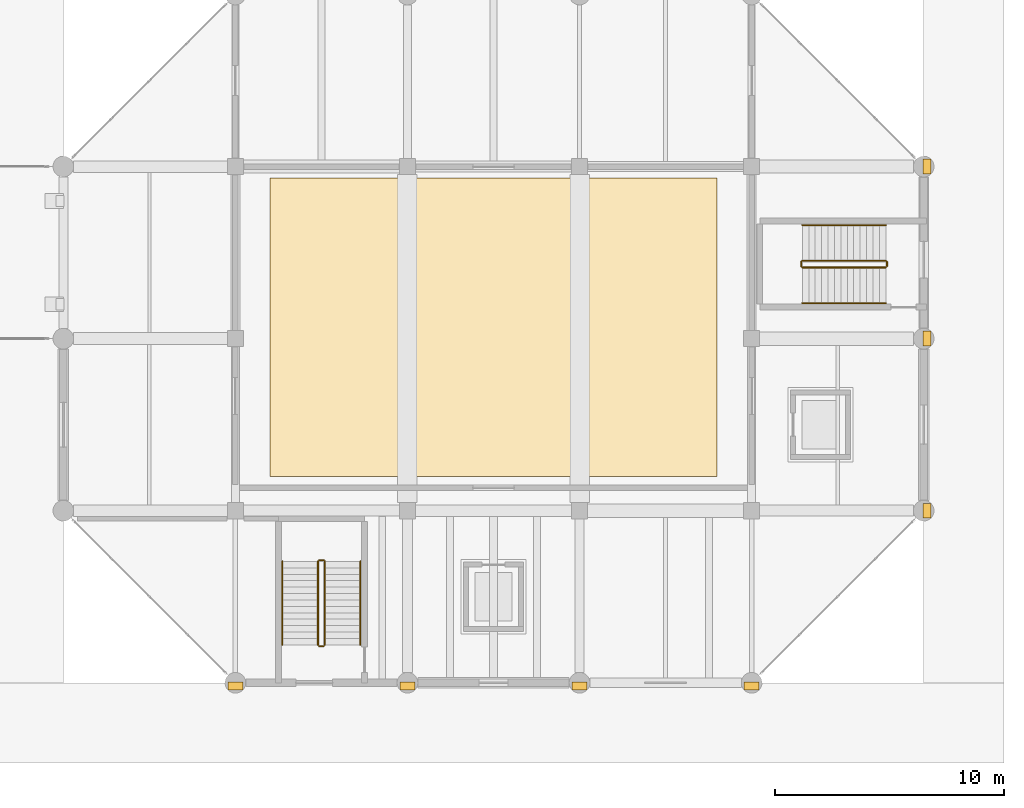
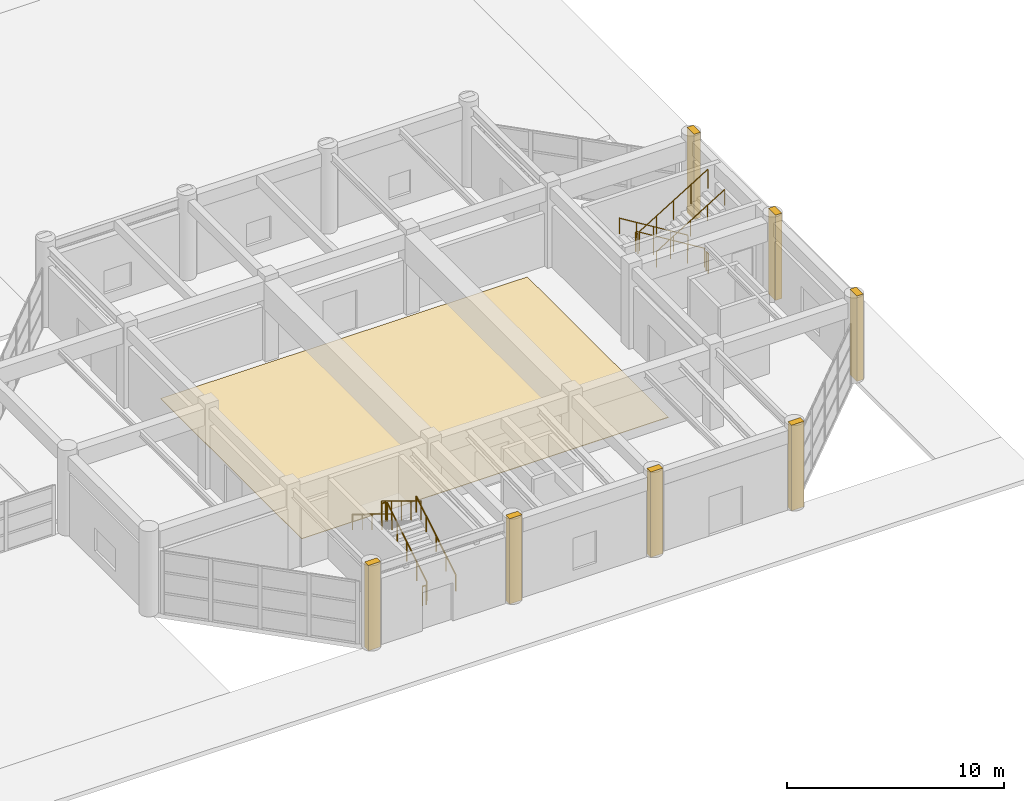
# One storey, part 119 of 122: 12 railings, 8 coverings.
"""IFC4 building model written with IfcOpenShell, lengths in metres."""

import ifcopenshell
import ifcopenshell.guid

model = None  # the IFC model being written
_history = None  # IfcOwnerHistory: only IFC2X3 demands one
_inside = {}  # id of a spatial element -> (the spatial element, [elements in it])
_under = {}  # id of a project, library or spatial element -> (it, [spatial elements below it])
_declared = {}  # id of a project -> (the project, [libraries it declares])
_typed = {}  # id of a type object -> (the type object, [elements of that type])
_made_of = {}  # id of a material, layer set ... -> (it, [elements and type objects made of it])


def new_model(schema):
    """Start an empty IFC model of exactly this schema.

    Asked for "IFC4X3", IfcOpenShell would pick the latest addendum, in which some entities
    have other attributes; the version numbers below select the first issue.
    IFC2X3 requires an IfcOwnerHistory on every rooted entity: one is made here for all.
    """
    global model, _history
    if schema == "IFC4X3":
        model = ifcopenshell.file(schema_version=(4, 3, 0, 0))
    else:
        model = ifcopenshell.file(schema=schema)
    _inside.clear()
    _under.clear()
    _declared.clear()
    _typed.clear()
    _made_of.clear()
    _history = None
    if model.schema == "IFC2X3":
        org = make("IfcOrganization", Name="unknown")
        user = make(
            "IfcPersonAndOrganization",
            ThePerson=make("IfcPerson", FamilyName="unknown"),
            TheOrganization=org,
        )
        app = make(
            "IfcApplication",
            ApplicationDeveloper=org,
            Version="unknown",
            ApplicationFullName="unknown",
            ApplicationIdentifier="unknown",
        )
        _history = make(
            "IfcOwnerHistory",
            OwningUser=user,
            OwningApplication=app,
            ChangeAction="ADDED",
            CreationDate=0,
        )
    return model


def make(cls, **values):
    """One entity of the class cls with the attributes given. An attribute that is None is left unset."""
    return model.create_entity(
        cls, **{name: value for name, value in values.items() if value is not None}
    )


def rooted(cls, **values):
    """An entity with a GlobalId (a new one), such as an element, a storey or a relation."""
    return make(cls, GlobalId=ifcopenshell.guid.new(), OwnerHistory=_history, **values)


def si_unit(unit_type, name, prefix=None):
    """IfcSIUnit, for example si_unit("LENGTHUNIT", "METRE", prefix="MILLI")."""
    return make("IfcSIUnit", UnitType=unit_type, Prefix=prefix, Name=name)


def assignment(units):
    """IfcUnitAssignment: the units of a project."""
    return None if units is None else make("IfcUnitAssignment", Units=units)


def point(xyz):
    """IfcCartesianPoint."""
    return None if xyz is None else make("IfcCartesianPoint", Coordinates=xyz)


def direction(xyz):
    """IfcDirection."""
    return None if xyz is None else make("IfcDirection", DirectionRatios=xyz)


def frame(location, z_axis=None, x_axis=None):
    """IfcAxis2Placement3D, a coordinate frame: its origin and axes. An axis left out is left unset."""
    return make(
        "IfcAxis2Placement3D",
        Location=point(location),
        Axis=direction(z_axis),
        RefDirection=direction(x_axis),
    )


def frame_2d(location, x_axis=None):
    """IfcAxis2Placement2D, a coordinate frame in the plane: its origin and x axis."""
    return make(
        "IfcAxis2Placement2D", Location=point(location), RefDirection=direction(x_axis)
    )


def origin():
    """The frame at (0, 0, 0) with its axes left unset."""
    return frame((0.0, 0.0, 0.0))


def origin_2d():
    """The frame at (0, 0) in the plane with its x axis left unset."""
    return frame_2d((0.0, 0.0))


def place(relative_to, where):
    """IfcLocalPlacement: puts the frame where relative to a parent placement (None: the world)."""
    return make(
        "IfcLocalPlacement", PlacementRelTo=relative_to, RelativePlacement=where
    )


def context(
    kind, dimensions, precision=None, world=None, true_north=None, identifier=None
):
    """IfcGeometricRepresentationContext, for example the 3D "Model" context."""
    return make(
        "IfcGeometricRepresentationContext",
        ContextIdentifier=identifier,
        ContextType=kind,
        CoordinateSpaceDimension=dimensions,
        Precision=precision,
        WorldCoordinateSystem=world,
        TrueNorth=true_north,
    )


def subcontext(parent, identifier, kind, view, scale=None):
    """IfcGeometricRepresentationSubContext, for example "Body" below "Model"."""
    return make(
        "IfcGeometricRepresentationSubContext",
        ContextIdentifier=identifier,
        ContextType=kind,
        ParentContext=parent,
        TargetScale=scale,
        TargetView=view,
    )


def project(units=None, contexts=None):
    """IfcProject with its units and contexts."""
    return rooted(
        "IfcProject",
        Name="project",
        RepresentationContexts=contexts,
        UnitsInContext=assignment(units),
    )


def spatial(cls, under=None, at=None, **own):
    """A site, building, storey or space (cls), placed at a placement, below another one or the project."""
    s = rooted(cls, ObjectPlacement=at, **own)
    if under is not None:
        _under.setdefault(under.id(), (under, []))[1].append(s)
    return s


def polyline(points):
    """IfcPolyline through the points."""
    return make("IfcPolyline", Points=[point(p) for p in points])


def profile(cls, at=None, kind="AREA", **sizes):
    """A parametric profile (cls). Its sizes go by their IFC names, for example OverallWidth=200.0."""
    return make(cls, ProfileType=kind, Position=at, **sizes)


def rectangle(**sizes):
    """IfcRectangleProfileDef."""
    return profile("IfcRectangleProfileDef", **sizes)


def circle(**sizes):
    """IfcCircleProfileDef."""
    return profile("IfcCircleProfileDef", **sizes)


def outline(outer, holes=None, kind="AREA"):
    """IfcArbitraryClosedProfileDef: a profile drawn as a closed curve; with holes, ...WithVoids."""
    if holes is None:
        return make("IfcArbitraryClosedProfileDef", ProfileType=kind, OuterCurve=outer)
    return make(
        "IfcArbitraryProfileDefWithVoids",
        ProfileType=kind,
        OuterCurve=outer,
        InnerCurves=holes,
    )


def extrude(swept, where, along, depth):
    """IfcExtrudedAreaSolid: the profile swept, set in the frame where, extruded along a direction by depth."""
    return make(
        "IfcExtrudedAreaSolid",
        SweptArea=swept,
        Position=where,
        ExtrudedDirection=direction(along),
        Depth=depth,
    )


def shape(context_of_items, identifier, shape_type, items):
    """IfcShapeRepresentation: the items that make up one representation, for example the "Body"."""
    return make(
        "IfcShapeRepresentation",
        ContextOfItems=context_of_items,
        RepresentationIdentifier=identifier,
        RepresentationType=shape_type,
        Items=items,
    )


def material(Name=None, Category=None):
    """IfcMaterial."""
    return make("IfcMaterial", Name=Name, Category=Category)


def layer(
    of_material, thickness, ventilated=None, Name=None, Category=None, Priority=None
):
    """IfcMaterialLayer: one layer of a wall or slab, of a material (None: an air gap)."""
    return make(
        "IfcMaterialLayer",
        Material=of_material,
        LayerThickness=thickness,
        IsVentilated=ventilated,
        Name=Name,
        Category=Category,
        Priority=Priority,
    )


def layer_set(layers, Name=None):
    """IfcMaterialLayerSet."""
    return make("IfcMaterialLayerSet", MaterialLayers=layers, LayerSetName=Name)


def made_of(thing, what):
    """Note that an element or type object is made of a material, layer set ...; save() writes the relation."""
    if what is not None:
        _made_of.setdefault(what.id(), (what, []))[1].append(thing)
    return thing


def type_object(cls, material=None, **own):
    """A type object (cls), such as IfcWallType, which elements share."""
    return made_of(rooted(cls, **own), material)


def element(
    cls,
    number,
    at=None,
    inside=None,
    cuts=None,
    type_object=None,
    material=None,
    context=None,
    identifier="Body",
    shape_type=None,
    held_by="IfcProductDefinitionShape",
    body=None,
    shapes=None,
    **own,
):
    """One element of the class cls, such as IfcWall. Its Tag is "e" and its number.

    at: its placement. inside: the storey or other place that contains it. cuts: it is an
    opening in that element (IfcRelVoidsElement). A single representation is given by context,
    identifier, shape_type and body (its items); several are given by shapes. held_by: the class
    of the entity that holds the representations. save() writes the other relations.
    """
    e = rooted(cls, Tag="e%d" % number, ObjectPlacement=at, **own)
    if body is not None:
        shapes = [shape(context, identifier, shape_type, body)]
    if shapes is not None:
        e.Representation = make(held_by, Representations=shapes)
    if inside is not None:
        _inside.setdefault(inside.id(), (inside, []))[1].append(e)
    if cuts is not None:
        rooted(
            "IfcRelVoidsElement", RelatingBuildingElement=cuts, RelatedOpeningElement=e
        )
    if type_object is not None:
        _typed.setdefault(type_object.id(), (type_object, []))[1].append(e)
    return made_of(e, material)


def aggregate(whole, parts):
    """IfcRelAggregates: a whole, such as a stair, and the parts it consists of."""
    return rooted("IfcRelAggregates", RelatingObject=whole, RelatedObjects=parts)


def save(model, path):
    """Write the relations noted so far, then the file.

    IfcRelAggregates (storeys below a building ...), IfcRelContainedInSpatialStructure (elements
    in a storey), IfcRelDefinesByType, IfcRelAssociatesMaterial and IfcRelDeclares: one each for
    every whole, place, type object, material and project.
    """
    for whole, parts in _under.values():
        aggregate(whole, parts)
    for where, things in _inside.values():
        rooted(
            "IfcRelContainedInSpatialStructure",
            RelatedElements=things,
            RelatingStructure=where,
        )
    for kind, things in _typed.values():
        rooted("IfcRelDefinesByType", RelatedObjects=things, RelatingType=kind)
    for what, things in _made_of.values():
        rooted("IfcRelAssociatesMaterial", RelatedObjects=things, RelatingMaterial=what)
    for by, libraries in _declared.values():
        rooted("IfcRelDeclares", RelatingContext=by, RelatedDefinitions=libraries)
    model.write(path)


model = new_model("IFC4")

# Units and contexts
model_context = context("Model", 3, precision=1e-05, world=origin(), true_north=direction((0.0, 1.0)))
body_context = subcontext(model_context, "Body", "Model", "MODEL_VIEW")
ifc_project = project(units=[si_unit("LENGTHUNIT", "METRE"), si_unit("AREAUNIT", "SQUARE_METRE"), si_unit("VOLUMEUNIT", "CUBIC_METRE"), si_unit("PLANEANGLEUNIT", "RADIAN"), si_unit("MASSUNIT", "GRAM", prefix="KILO")], contexts=[model_context])

# Site, building, storey
site_placement = place(None, origin())
site = spatial("IfcSite", under=ifc_project, at=site_placement, CompositionType="ELEMENT")
building_placement = place(site_placement, origin())
building = spatial("IfcBuilding", under=site, at=building_placement, Name="Qasida Concert Hall", CompositionType="ELEMENT")
storey_placement = place(building_placement, origin())
storey = spatial("IfcBuildingStorey", under=building, at=storey_placement, Name="L00", CompositionType="ELEMENT", Elevation=0.0)

# Coverings
ifc_material_1 = material(Name="Quarter-sawn European oak stage and parterre flooring", Category="wood")
ifc_layer_1 = layer(ifc_material_1, 0.030029296875, Name="Quarter-sawn European oak stage and parterre flooring")
ifc_layer_set_1 = layer_set([ifc_layer_1], Name="Quarter-sawn European oak stage and parterre flooring")
covering_type_1 = type_object("IfcCoveringType", Name="CV-FL-1", PredefinedType="FLOORING", material=ifc_layer_set_1)
covering_placement = place(storey_placement, origin())
element("IfcCovering", 1, at=covering_placement, inside=storey, type_object=covering_type_1, Name="L00 acoustic timber flooring 01", PredefinedType="FLOORING", context=body_context, shape_type="SweptSolid", body=[
    extrude(outline(polyline([(136.5, 9.0), (156.0, 9.0), (156.0, 22.0), (136.5, 22.0), (136.5, 9.0)])), origin(), (0.0, 0.0, 1.0), 0.030029296875),
])
ifc_material_2 = material(Name="Projecting fluted Lebanese limestone Art Deco pilaster", Category="masonry")
ifc_layer_2 = layer(ifc_material_2, 0.35009765625, Name="Projecting fluted Lebanese limestone Art Deco pilaster")
ifc_layer_set_2 = layer_set([ifc_layer_2], Name="Projecting fluted Lebanese limestone Art Deco pilaster")
covering_type_2 = type_object("IfcCoveringType", Name="CV-PIL-650", PredefinedType="CLADDING", material=ifc_layer_set_2)
for number, where, z_axis, x_axis, name in (
    (2, (135.0, -0.135009765625, 0.0), (0.0, 0.0, 1.0), (1.0, 0.0, 0.0), "L00 fluted limestone pilaster 0191"),
    (3, (142.5, -0.135009765625, 0.0), (0.0, 0.0, 1.0), (1.0, 0.0, 0.0), "L00 fluted limestone pilaster 0199"),
    (4, (150.0, -0.135009765625, 0.0), (0.0, 0.0, 1.0), (1.0, 0.0, 0.0), "L00 fluted limestone pilaster 0207"),
    (5, (157.5, -0.135009765625, 0.0), (0.0, 0.0, 1.0), (1.0, 0.0, 0.0), "L00 fluted limestone pilaster 0215"),
):
    element("IfcCovering", number, at=place(storey_placement, frame(where, z_axis=z_axis, x_axis=x_axis)), inside=storey, type_object=covering_type_2, Name=name, PredefinedType="CLADDING", context=body_context, shape_type="SweptSolid", body=[
        extrude(rectangle(XDim=0.64990234375, YDim=0.35009765625, at=origin_2d()), origin(), (0.0, 0.0, 1.0), 4.800048828125),
    ])
for number, where, z_axis, x_axis, name in (
    (6, (165.135009765625, 7.5, 0.0), (0.0, 0.0, 1.0), (1.0, 0.0, 0.0), "L00 fluted limestone pilaster 0223"),
    (7, (165.135009765625, 15.0, 0.0), (0.0, 0.0, 1.0), (1.0, 0.0, 0.0), "L00 fluted limestone pilaster 0227"),
    (8, (165.135009765625, 22.5, 0.0), (0.0, 0.0, 1.0), (1.0, 0.0, 0.0), "L00 fluted limestone pilaster 0231"),
):
    element("IfcCovering", number, at=place(storey_placement, frame(where, z_axis=z_axis, x_axis=x_axis)), inside=storey, type_object=covering_type_2, Name=name, PredefinedType="CLADDING", context=body_context, shape_type="SweptSolid", body=[
        extrude(rectangle(XDim=0.35009765625, YDim=0.64990234375, at=origin_2d()), origin(), (0.0, 0.0, 1.0), 4.800048828125),
    ])

# Railings
ifc_material_3 = material(Name="Patinated architectural bronze and laminated glass infill", Category="glass")
ifc_layer_3 = layer(ifc_material_3, 0.080078125, Name="Patinated architectural bronze and laminated glass infill")
ifc_layer_set_3 = layer_set([ifc_layer_3], Name="Patinated architectural bronze and laminated glass infill")
railing_type_1 = type_object("IfcRailingType", Name="RL-GRD-1100", PredefinedType="GUARDRAIL", material=ifc_layer_set_3)
railing_1_placement = place(storey_placement, frame((138.89990234375, 1.64990234375, 0.17138671875)))
element("IfcRailing", 9, at=railing_1_placement, inside=storey, type_object=railing_type_1, Name="L00 ST-09 stair guard 1", PredefinedType="GUARDRAIL", context=body_context, shape_type="SweptSolid", body=[
    extrude(circle(Radius=0.02392578125, at=origin_2d()), frame((0.0, 0.0, 1.076171875), z_axis=(0.0, 0.852865859571, 0.52213008492), x_axis=(-1.0, 0.0, 0.0)), (0.0, 0.0, 1.0), 4.26806640625),
    extrude(circle(Radius=0.02099609375, at=origin_2d()), origin(), (0.0, 0.0, 1.0), 1.052001953125),
    extrude(circle(Radius=0.02099609375, at=origin_2d()), frame((0.0, 0.91015625, 0.55712890625)), (0.0, 0.0, 1.0), 1.052001953125),
    extrude(circle(Radius=0.02099609375, at=origin_2d()), frame((0.0, 1.820068359375, 1.1142578125)), (0.0, 0.0, 1.0), 1.052001953125),
    extrude(circle(Radius=0.02099609375, at=origin_2d()), frame((0.0, 2.72998046875, 1.67138671875)), (0.0, 0.0, 1.0), 1.052001953125),
    extrude(circle(Radius=0.02099609375, at=origin_2d()), frame((0.0, 3.64013671875, 2.228515625)), (0.0, 0.0, 1.0), 1.052001953125),
])
railing_2_placement = place(storey_placement, frame((138.85009765625, 5.340087890625, 2.39990234375)))
element("IfcRailing", 10, at=railing_2_placement, inside=storey, type_object=railing_type_1, Name="L00 ST-09 stair guard 2", PredefinedType="GUARDRAIL", context=body_context, shape_type="SweptSolid", body=[
    extrude(circle(Radius=0.02392578125, at=origin_2d()), frame((0.0, 0.0, 1.076171875), z_axis=(-1.0, 0.0, 0.0), x_axis=(0.0, -1.0, 0.0)), (0.0, 0.0, 1.0), 0.2001953125),
    extrude(circle(Radius=0.02099609375, at=origin_2d()), origin(), (0.0, 0.0, 1.0), 1.052001953125),
    extrude(circle(Radius=0.02099609375, at=origin_2d()), frame((-0.2001953125, 0.0, 0.0)), (0.0, 0.0, 1.0), 1.052001953125),
])
railing_3_placement = place(storey_placement, frame((138.60009765625, 5.2900390625, 2.571533203125)))
element("IfcRailing", 11, at=railing_3_placement, inside=storey, type_object=railing_type_1, Name="L00 ST-09 stair guard 3", PredefinedType="GUARDRAIL", context=body_context, shape_type="SweptSolid", body=[
    extrude(circle(Radius=0.02392578125, at=origin_2d()), frame((0.0, 0.0, 1.076171875), z_axis=(0.0, -0.852865859571, 0.52213008492), x_axis=(1.0, 0.0, 0.0)), (0.0, 0.0, 1.0), 4.26806640625),
    extrude(circle(Radius=0.02099609375, at=origin_2d()), origin(), (0.0, 0.0, 1.0), 1.052001953125),
    extrude(circle(Radius=0.02099609375, at=origin_2d()), frame((0.0, -0.91015625, 0.55712890625)), (0.0, 0.0, 1.0), 1.052001953125),
    extrude(circle(Radius=0.02099609375, at=origin_2d()), frame((0.0, -1.820068359375, 1.1142578125)), (0.0, 0.0, 1.0), 1.052001953125),
    extrude(circle(Radius=0.02099609375, at=origin_2d()), frame((0.0, -2.72998046875, 1.67138671875)), (0.0, 0.0, 1.0), 1.052001953125),
    extrude(circle(Radius=0.02099609375, at=origin_2d()), frame((0.0, -3.64013671875, 2.228515625)), (0.0, 0.0, 1.0), 1.052001953125),
])
railing_4_placement = place(storey_placement, frame((138.85009765625, 1.60009765625, 0.0)))
element("IfcRailing", 12, at=railing_4_placement, inside=storey, type_object=railing_type_1, Name="L00 ST-09 stair guard 4", PredefinedType="GUARDRAIL", context=body_context, shape_type="SweptSolid", body=[
    extrude(circle(Radius=0.02392578125, at=origin_2d()), frame((0.0, 0.0, 1.076171875), z_axis=(-1.0, 0.0, 0.0), x_axis=(0.0, -1.0, 0.0)), (0.0, 0.0, 1.0), 0.2001953125),
    extrude(circle(Radius=0.02099609375, at=origin_2d()), origin(), (0.0, 0.0, 1.0), 1.052001953125),
    extrude(circle(Radius=0.02099609375, at=origin_2d()), frame((-0.2001953125, 0.0, 0.0)), (0.0, 0.0, 1.0), 1.052001953125),
])
railing_5_placement = place(storey_placement, frame((163.35009765625, 18.39990234375, 0.17138671875)))
element("IfcRailing", 13, at=railing_5_placement, inside=storey, type_object=railing_type_1, Name="L00 ST-10 stair guard 1", PredefinedType="GUARDRAIL", context=body_context, shape_type="SweptSolid", body=[
    extrude(circle(Radius=0.02392578125, at=origin_2d()), frame((0.0, 0.0, 1.076171875), z_axis=(-0.852865859571, 0.0, 0.52213008492), x_axis=(0.0, -1.0, 0.0)), (0.0, 0.0, 1.0), 4.26806640625),
    extrude(circle(Radius=0.02099609375, at=origin_2d()), origin(), (0.0, 0.0, 1.0), 1.052001953125),
    extrude(circle(Radius=0.02099609375, at=origin_2d()), frame((-0.91015625, 0.0, 0.55712890625)), (0.0, 0.0, 1.0), 1.052001953125),
    extrude(circle(Radius=0.02099609375, at=origin_2d()), frame((-1.820068359375, 0.0, 1.1142578125)), (0.0, 0.0, 1.0), 1.052001953125),
    extrude(circle(Radius=0.02099609375, at=origin_2d()), frame((-2.72998046875, 0.0, 1.67138671875)), (0.0, 0.0, 1.0), 1.052001953125),
    extrude(circle(Radius=0.02099609375, at=origin_2d()), frame((-3.64013671875, 0.0, 2.228515625)), (0.0, 0.0, 1.0), 1.052001953125),
])
railing_6_placement = place(storey_placement, frame((159.659912109375, 18.35009765625, 2.39990234375)))
element("IfcRailing", 14, at=railing_6_placement, inside=storey, type_object=railing_type_1, Name="L00 ST-10 stair guard 2", PredefinedType="GUARDRAIL", context=body_context, shape_type="SweptSolid", body=[
    extrude(circle(Radius=0.02392578125, at=origin_2d()), frame((0.0, 0.0, 1.076171875), z_axis=(0.0, -1.0, 0.0), x_axis=(1.0, 0.0, 0.0)), (0.0, 0.0, 1.0), 0.2001953125),
    extrude(circle(Radius=0.02099609375, at=origin_2d()), origin(), (0.0, 0.0, 1.0), 1.052001953125),
    extrude(circle(Radius=0.02099609375, at=origin_2d()), frame((0.0, -0.2001953125, 0.0)), (0.0, 0.0, 1.0), 1.052001953125),
])
railing_7_placement = place(storey_placement, frame((159.7099609375, 18.10009765625, 2.571533203125)))
element("IfcRailing", 15, at=railing_7_placement, inside=storey, type_object=railing_type_1, Name="L00 ST-10 stair guard 3", PredefinedType="GUARDRAIL", context=body_context, shape_type="SweptSolid", body=[
    extrude(circle(Radius=0.02392578125, at=origin_2d()), frame((0.0, 0.0, 1.076171875), z_axis=(0.852865859571, 0.0, 0.52213008492), x_axis=(0.0, 1.0, 0.0)), (0.0, 0.0, 1.0), 4.26806640625),
    extrude(circle(Radius=0.02099609375, at=origin_2d()), origin(), (0.0, 0.0, 1.0), 1.052001953125),
    extrude(circle(Radius=0.02099609375, at=origin_2d()), frame((0.91015625, 0.0, 0.55712890625)), (0.0, 0.0, 1.0), 1.052001953125),
    extrude(circle(Radius=0.02099609375, at=origin_2d()), frame((1.820068359375, 0.0, 1.1142578125)), (0.0, 0.0, 1.0), 1.052001953125),
    extrude(circle(Radius=0.02099609375, at=origin_2d()), frame((2.72998046875, 0.0, 1.67138671875)), (0.0, 0.0, 1.0), 1.052001953125),
    extrude(circle(Radius=0.02099609375, at=origin_2d()), frame((3.64013671875, 0.0, 2.228515625)), (0.0, 0.0, 1.0), 1.052001953125),
])
railing_8_placement = place(storey_placement, frame((163.39990234375, 18.35009765625, 0.0)))
element("IfcRailing", 16, at=railing_8_placement, inside=storey, type_object=railing_type_1, Name="L00 ST-10 stair guard 4", PredefinedType="GUARDRAIL", context=body_context, shape_type="SweptSolid", body=[
    extrude(circle(Radius=0.02392578125, at=origin_2d()), frame((0.0, 0.0, 1.076171875), z_axis=(0.0, -1.0, 0.0), x_axis=(1.0, 0.0, 0.0)), (0.0, 0.0, 1.0), 0.2001953125),
    extrude(circle(Radius=0.02099609375, at=origin_2d()), origin(), (0.0, 0.0, 1.0), 1.052001953125),
    extrude(circle(Radius=0.02099609375, at=origin_2d()), frame((0.0, -0.2001953125, 0.0)), (0.0, 0.0, 1.0), 1.052001953125),
])
ifc_material_4 = material(Name="Patinated tubular architectural bronze", Category="steel")
ifc_layer_4 = layer(ifc_material_4, 0.050048828125, Name="Patinated tubular architectural bronze")
ifc_layer_set_4 = layer_set([ifc_layer_4], Name="Patinated tubular architectural bronze")
railing_type_2 = type_object("IfcRailingType", Name="RL-HND-900", PredefinedType="HANDRAIL", material=ifc_layer_set_4)
railing_9_placement = place(storey_placement, frame((140.449951171875, 1.64990234375, 0.17138671875)))
element("IfcRailing", 17, at=railing_9_placement, inside=storey, type_object=railing_type_2, Name="L00 ST-09 stair handrail 1", PredefinedType="HANDRAIL", context=body_context, shape_type="SweptSolid", body=[
    extrude(circle(Radius=0.02392578125, at=origin_2d()), frame((0.0, 0.0, 0.8759765625), z_axis=(0.0, 0.852865859571, 0.52213008492), x_axis=(-1.0, 0.0, 0.0)), (0.0, 0.0, 1.0), 4.26806640625),
    extrude(circle(Radius=0.02099609375, at=origin_2d()), origin(), (0.0, 0.0, 1.0), 0.851806640625),
    extrude(circle(Radius=0.02099609375, at=origin_2d()), frame((0.0, 0.91015625, 0.55712890625)), (0.0, 0.0, 1.0), 0.851806640625),
    extrude(circle(Radius=0.02099609375, at=origin_2d()), frame((0.0, 1.820068359375, 1.1142578125)), (0.0, 0.0, 1.0), 0.851806640625),
    extrude(circle(Radius=0.02099609375, at=origin_2d()), frame((0.0, 2.72998046875, 1.67138671875)), (0.0, 0.0, 1.0), 0.851806640625),
    extrude(circle(Radius=0.02099609375, at=origin_2d()), frame((0.0, 3.64013671875, 2.228515625)), (0.0, 0.0, 1.0), 0.851806640625),
])
railing_10_placement = place(storey_placement, frame((137.050048828125, 5.2900390625, 2.571533203125)))
element("IfcRailing", 18, at=railing_10_placement, inside=storey, type_object=railing_type_2, Name="L00 ST-09 stair handrail 2", PredefinedType="HANDRAIL", context=body_context, shape_type="SweptSolid", body=[
    extrude(circle(Radius=0.02392578125, at=origin_2d()), frame((0.0, 0.0, 0.8759765625), z_axis=(0.0, -0.852865859571, 0.52213008492), x_axis=(1.0, 0.0, 0.0)), (0.0, 0.0, 1.0), 4.26806640625),
    extrude(circle(Radius=0.02099609375, at=origin_2d()), origin(), (0.0, 0.0, 1.0), 0.851806640625),
    extrude(circle(Radius=0.02099609375, at=origin_2d()), frame((0.0, -0.91015625, 0.55712890625)), (0.0, 0.0, 1.0), 0.851806640625),
    extrude(circle(Radius=0.02099609375, at=origin_2d()), frame((0.0, -1.820068359375, 1.1142578125)), (0.0, 0.0, 1.0), 0.851806640625),
    extrude(circle(Radius=0.02099609375, at=origin_2d()), frame((0.0, -2.72998046875, 1.67138671875)), (0.0, 0.0, 1.0), 0.851806640625),
    extrude(circle(Radius=0.02099609375, at=origin_2d()), frame((0.0, -3.64013671875, 2.228515625)), (0.0, 0.0, 1.0), 0.851806640625),
])
railing_11_placement = place(storey_placement, frame((163.35009765625, 19.949951171875, 0.17138671875)))
element("IfcRailing", 19, at=railing_11_placement, inside=storey, type_object=railing_type_2, Name="L00 ST-10 stair handrail 1", PredefinedType="HANDRAIL", context=body_context, shape_type="SweptSolid", body=[
    extrude(circle(Radius=0.02392578125, at=origin_2d()), frame((0.0, 0.0, 0.8759765625), z_axis=(-0.852865859571, 0.0, 0.52213008492), x_axis=(0.0, -1.0, 0.0)), (0.0, 0.0, 1.0), 4.26806640625),
    extrude(circle(Radius=0.02099609375, at=origin_2d()), origin(), (0.0, 0.0, 1.0), 0.851806640625),
    extrude(circle(Radius=0.02099609375, at=origin_2d()), frame((-0.91015625, 0.0, 0.55712890625)), (0.0, 0.0, 1.0), 0.851806640625),
    extrude(circle(Radius=0.02099609375, at=origin_2d()), frame((-1.820068359375, 0.0, 1.1142578125)), (0.0, 0.0, 1.0), 0.851806640625),
    extrude(circle(Radius=0.02099609375, at=origin_2d()), frame((-2.72998046875, 0.0, 1.67138671875)), (0.0, 0.0, 1.0), 0.851806640625),
    extrude(circle(Radius=0.02099609375, at=origin_2d()), frame((-3.64013671875, 0.0, 2.228515625)), (0.0, 0.0, 1.0), 0.851806640625),
])
railing_12_placement = place(storey_placement, frame((159.7099609375, 16.550048828125, 2.571533203125)))
element("IfcRailing", 20, at=railing_12_placement, inside=storey, type_object=railing_type_2, Name="L00 ST-10 stair handrail 2", PredefinedType="HANDRAIL", context=body_context, shape_type="SweptSolid", body=[
    extrude(circle(Radius=0.02392578125, at=origin_2d()), frame((0.0, 0.0, 0.8759765625), z_axis=(0.852865859571, 0.0, 0.52213008492), x_axis=(0.0, 1.0, 0.0)), (0.0, 0.0, 1.0), 4.26806640625),
    extrude(circle(Radius=0.02099609375, at=origin_2d()), origin(), (0.0, 0.0, 1.0), 0.851806640625),
    extrude(circle(Radius=0.02099609375, at=origin_2d()), frame((0.91015625, 0.0, 0.55712890625)), (0.0, 0.0, 1.0), 0.851806640625),
    extrude(circle(Radius=0.02099609375, at=origin_2d()), frame((1.820068359375, 0.0, 1.1142578125)), (0.0, 0.0, 1.0), 0.851806640625),
    extrude(circle(Radius=0.02099609375, at=origin_2d()), frame((2.72998046875, 0.0, 1.67138671875)), (0.0, 0.0, 1.0), 0.851806640625),
    extrude(circle(Radius=0.02099609375, at=origin_2d()), frame((3.64013671875, 0.0, 2.228515625)), (0.0, 0.0, 1.0), 0.851806640625),
])

save(model, "model.ifc")
